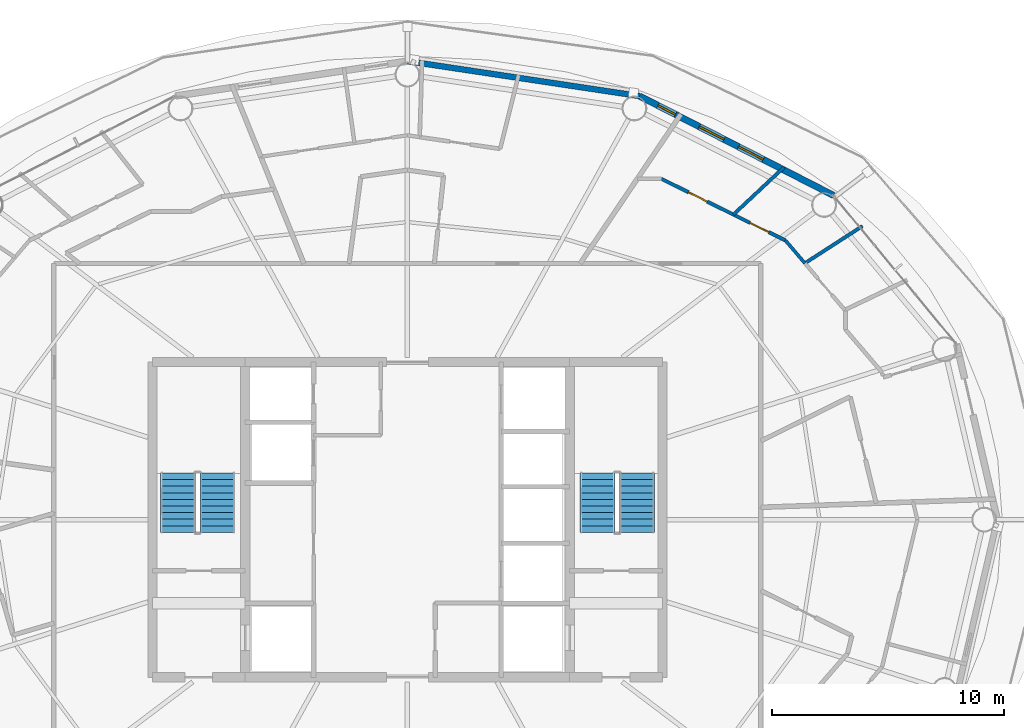
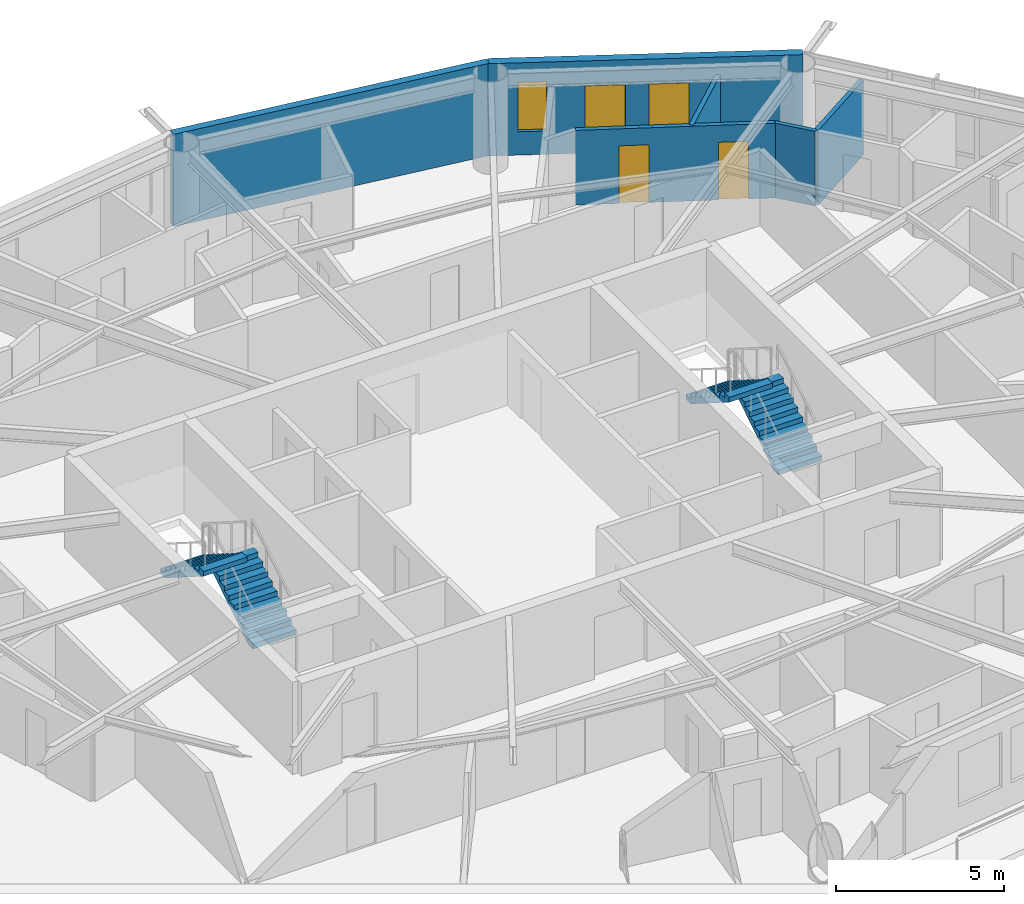
# One storey, part 20 of 23: 6 walls, 4 stair flights, 3 windows, 2 doors, 5 openings, 2 elements without a shape of their own.
"""IFC4 building model written with IfcOpenShell, lengths in metres."""

from ifc_helpers import new_model, si_unit, direction, frame, frame_2d, origin, place, context, subcontext, project, spatial, polyline, rectangle, outline, extrude, material, layer, layer_set, type_object, element, fill, aggregate, save


model = new_model("IFC4")

# Units and contexts
model_context = context("Model", 3, precision=1e-05, world=origin(), true_north=direction((0.0, 1.0)))
body_context = subcontext(model_context, "Body", "Model", "MODEL_VIEW")
ifc_project = project(units=[si_unit("LENGTHUNIT", "METRE"), si_unit("AREAUNIT", "SQUARE_METRE"), si_unit("VOLUMEUNIT", "CUBIC_METRE"), si_unit("PLANEANGLEUNIT", "RADIAN"), si_unit("MASSUNIT", "GRAM", prefix="KILO")], contexts=[model_context])

# Site, building, storey
site_placement = place(None, origin())
site = spatial("IfcSite", under=ifc_project, at=site_placement, CompositionType="ELEMENT")
building_placement = place(site_placement, origin())
building = spatial("IfcBuilding", under=site, at=building_placement, Name="Sarneth Arch Tower", CompositionType="ELEMENT")
storey_placement = place(building_placement, frame((0.0, 0.0, 235.199951171875)))
storey = spatial("IfcBuildingStorey", under=building, at=storey_placement, Name="L60", CompositionType="ELEMENT", Elevation=235.199951171875)

# Wall
ifc_material_1 = material(Name="Extruded terracotta rainscreen on Concrete C40/50 backing", Category="masonry")
ifc_layer_1 = layer(ifc_material_1, 0.25)
ifc_layer_set_1 = layer_set([ifc_layer_1], Name="Extruded terracotta rainscreen on Concrete C40/50 backing")
wall_type_1 = type_object("IfcWallType", Name="WALL-EXT-SPAND-250", PredefinedType="SOLIDWALL", material=ifc_layer_set_1)
wall_1_placement = place(storey_placement, frame((58.0126953125, 60.2744140625, 0.0), z_axis=(0.0, 0.0, 1.0), x_axis=(-0.988882522213, 0.148698881169, 0.0)))
element("IfcWall", 1, at=wall_1_placement, inside=storey, type_object=wall_type_1, Name="L60 Terracotta perimeter wall 04", PredefinedType="SOLIDWALL", context=body_context, shape_type="SweptSolid", body=[
    extrude(rectangle(XDim=10.125244140625, YDim=0.25, at=frame_2d((5.0625, 0.0))), origin(), (0.0, 0.0, 1.0), 3.360107421875),
])

# Wall, openings, windows
ifc_material_2 = material(Name="Extruded terracotta rainscreen on Concrete C40/50 backing", Category="masonry")
ifc_layer_2 = layer(ifc_material_2, 0.280029296875)
ifc_layer_set_2 = layer_set([ifc_layer_2], Name="Extruded terracotta rainscreen on Concrete C40/50 backing")
wall_type_2 = type_object("IfcWallType", Name="WALL-EXT-TERRA-280", PredefinedType="SOLIDWALL", material=ifc_layer_set_2)
wall_2_placement = place(storey_placement, frame((66.382568359375, 55.986572265625, 0.0), z_axis=(0.0, 0.0, 1.0), x_axis=(-0.890007394051, 0.455946091699, 0.0)))
wall_2 = element("IfcWall", 2, at=wall_2_placement, inside=storey, type_object=wall_type_2, Name="L60 Terracotta perimeter wall 03", PredefinedType="SOLIDWALL", context=body_context, shape_type="SweptSolid", body=[
    extrude(rectangle(XDim=9.404296875, YDim=0.280029296875, at=frame_2d((4.7021484375, 0.0))), origin(), (0.0, 0.0, 1.0), 3.360107421875),
])
opening_1_placement = place(wall_2_placement, frame((3.40576171875, 0.0, 0.85009765625)))
opening_1 = element("IfcOpeningElement", 3, at=opening_1_placement, cuts=wall_2, Name="Opening W-10", PredefinedType="OPENING", context=body_context, shape_type="SweptSolid", body=[
    extrude(rectangle(XDim=1.199951171875, YDim=1.60009765625, at=frame_2d((0.60009765625, 0.800048828125))), frame((0.0, 0.14990234375, 0.0), z_axis=(0.0, -1.0, 0.0), x_axis=(1.0, 0.0, 0.0)), (0.0, 0.0, 1.0), 0.300048828125),
])
opening_2_placement = place(wall_2_placement, frame((5.306884765625, 0.0, 0.85009765625)))
opening_2 = element("IfcOpeningElement", 4, at=opening_2_placement, cuts=wall_2, Name="Opening W-10", PredefinedType="OPENING", context=body_context, shape_type="SweptSolid", body=[
    extrude(rectangle(XDim=1.199951171875, YDim=1.60009765625, at=frame_2d((0.60009765625, 0.800048828125))), frame((0.0, 0.14990234375, 0.0), z_axis=(0.0, -1.0, 0.0), x_axis=(1.0, 0.0, 0.0)), (0.0, 0.0, 1.0), 0.300048828125),
])
opening_3_placement = place(wall_2_placement, frame((7.66259765625, 0.0, 0.85009765625)))
opening_3 = element("IfcOpeningElement", 5, at=opening_3_placement, cuts=wall_2, Name="Opening W-12", PredefinedType="OPENING", context=body_context, shape_type="SweptSolid", body=[
    extrude(rectangle(XDim=0.85009765625, YDim=1.800048828125, at=frame_2d((0.425048828125, 0.89990234375))), frame((0.0, 0.14990234375, 0.0), z_axis=(0.0, -1.0, 0.0), x_axis=(1.0, 0.0, 0.0)), (0.0, 0.0, 1.0), 0.300048828125),
])
ifc_material_3 = material(Name="Thermally broken Aluminium 6063-T6 and low-e laminated IGU", Category="aluminium")
window_type_1 = type_object("IfcWindowType", Name="WIN-TWR-1200x1600", PartitioningType="SINGLE_PANEL", PredefinedType="WINDOW", material=ifc_material_3)
window_1_placement = place(opening_1_placement, origin())
window_1 = element("IfcWindow", 6, at=window_1_placement, inside=storey, type_object=window_type_1, Name="L60 Exterior window 03A", OverallHeight=1.60009765625, OverallWidth=1.199951171875, PartitioningType="SINGLE_PANEL", PredefinedType="WINDOW", context=body_context, shape_type="SweptSolid", body=[
    extrude(rectangle(XDim=1.199951171875, YDim=1.60009765625, at=frame_2d((0.60009765625, 0.800048828125))), frame((0.0, 0.030029296875, 0.0), z_axis=(0.0, -1.0, 0.0), x_axis=(1.0, 0.0, 0.0)), (0.0, 0.0, 1.0), 0.06005859375),
])
fill(opening_1, window_1)
window_2_placement = place(opening_2_placement, origin())
window_2 = element("IfcWindow", 7, at=window_2_placement, inside=storey, type_object=window_type_1, Name="L60 Exterior window 03B", OverallHeight=1.60009765625, OverallWidth=1.199951171875, PartitioningType="SINGLE_PANEL", PredefinedType="WINDOW", context=body_context, shape_type="SweptSolid", body=[
    extrude(rectangle(XDim=1.199951171875, YDim=1.60009765625, at=frame_2d((0.60009765625, 0.800048828125))), frame((0.0, 0.030029296875, 0.0), z_axis=(0.0, -1.0, 0.0), x_axis=(1.0, 0.0, 0.0)), (0.0, 0.0, 1.0), 0.06005859375),
])
fill(opening_2, window_2)
ifc_material_4 = material(Name="Thermally broken Aluminium 6063-T6 and low-e laminated IGU", Category="aluminium")
window_type_2 = type_object("IfcWindowType", Name="WIN-TWR-850x1800", PartitioningType="SINGLE_PANEL", PredefinedType="WINDOW", material=ifc_material_4)
window_3_placement = place(opening_3_placement, origin())
window_3 = element("IfcWindow", 8, at=window_3_placement, inside=storey, type_object=window_type_2, Name="L60 Dwelling bedroom window 01", OverallHeight=1.800048828125, OverallWidth=0.85009765625, PartitioningType="SINGLE_PANEL", PredefinedType="WINDOW", context=body_context, shape_type="SweptSolid", body=[
    extrude(rectangle(XDim=0.85009765625, YDim=1.800048828125, at=frame_2d((0.425048828125, 0.89990234375))), frame((0.0, 0.030029296875, 0.0), z_axis=(0.0, -1.0, 0.0), x_axis=(1.0, 0.0, 0.0)), (0.0, 0.0, 1.0), 0.06005859375),
])
fill(opening_3, window_3)

# Wall
ifc_material_5 = material(Name="Apartment internal stud partition", Category="gypsum")
ifc_layer_3 = layer(ifc_material_5, 0.139892578125)
ifc_layer_set_3 = layer_set([ifc_layer_3], Name="Apartment internal stud partition")
wall_type_3 = type_object("IfcWallType", Name="WALL-PART-140", PredefinedType="PARTITIONING", material=ifc_layer_set_3)
wall_3_placement = place(storey_placement, frame((65.147216796875, 53.061767578125, 0.0), z_axis=(0.0, 0.0, 1.0), x_axis=(-0.648994996694, 0.760792674956, 0.0)))
element("IfcWall", 9, at=wall_3_placement, inside=storey, type_object=wall_type_3, Name="L60 Interior partition W-L60-TP-028", PredefinedType="PARTITIONING", context=body_context, shape_type="SweptSolid", body=[
    extrude(rectangle(XDim=1.288330078125, YDim=0.139892578125, at=frame_2d((0.64404296875, 0.0))), origin(), (0.0, 0.0, 1.0), 2.719970703125),
])

# Wall, openings, doors
ifc_material_6 = material(Name="Acoustic gypsum stud partition", Category="gypsum")
ifc_layer_4 = layer(ifc_material_6, 0.14990234375)
ifc_layer_set_4 = layer_set([ifc_layer_4], Name="Acoustic gypsum stud partition")
wall_type_4 = type_object("IfcWallType", Name="WALL-PART-150", PredefinedType="PARTITIONING", material=ifc_layer_set_4)
wall_4_placement = place(storey_placement, frame((58.9638671875, 56.699951171875, 0.0), z_axis=(0.0, 0.0, 1.0), x_axis=(0.895471406875, -0.445119039661, 0.0)))
wall_4 = element("IfcWall", 10, at=wall_4_placement, inside=storey, type_object=wall_type_4, Name="L60 Interior partition W-L60-TP-031", PredefinedType="PARTITIONING", context=body_context, shape_type="SweptSolid", body=[
    extrude(rectangle(XDim=5.971435546875, YDim=0.14990234375, at=frame_2d((2.98583984375, 0.0))), origin(), (0.0, 0.0, 1.0), 2.719970703125),
])
opening_4_placement = place(wall_4_placement, frame((1.297119140625, 0.0, 0.0)))
opening_4 = element("IfcOpeningElement", 11, at=opening_4_placement, cuts=wall_4, Name="Opening ID-01", PredefinedType="OPENING", context=body_context, shape_type="SweptSolid", body=[
    extrude(rectangle(XDim=0.89990234375, YDim=2.10009765625, at=frame_2d((0.449951171875, 1.050048828125))), frame((0.0, 0.0849609375, 0.0), z_axis=(0.0, -1.0, 0.0), x_axis=(1.0, 0.0, 0.0)), (0.0, 0.0, 1.0), 0.169921875),
])
opening_5_placement = place(wall_4_placement, frame((4.265869140625, 0.0, 0.0)))
opening_5 = element("IfcOpeningElement", 12, at=opening_5_placement, cuts=wall_4, Name="Opening ID-01", PredefinedType="OPENING", context=body_context, shape_type="SweptSolid", body=[
    extrude(rectangle(XDim=0.89990234375, YDim=2.10009765625, at=frame_2d((0.449951171875, 1.050048828125))), frame((0.0, 0.0849609375, 0.0), z_axis=(0.0, -1.0, 0.0), x_axis=(1.0, 0.0, 0.0)), (0.0, 0.0, 1.0), 0.169921875),
])
ifc_material_7 = material(Name="Engineered hardwood flush door", Category="wood")
door_type = type_object("IfcDoorType", Name="DR-INT-900", OperationType="SINGLE_SWING_LEFT", PredefinedType="DOOR", material=ifc_material_7)
door_1_placement = place(opening_4_placement, origin())
door_1 = element("IfcDoor", 13, at=door_1_placement, inside=storey, type_object=door_type, Name="L60 Interior door DR-L60-U1-BED2", OperationType="SINGLE_SWING_RIGHT", OverallHeight=2.10009765625, OverallWidth=0.89990234375, PredefinedType="DOOR", context=body_context, shape_type="SweptSolid", body=[
    extrude(rectangle(XDim=0.89990234375, YDim=2.10009765625, at=frame_2d((0.449951171875, 1.050048828125))), frame((0.0, 0.02490234375, 0.0), z_axis=(0.0, -1.0, 0.0), x_axis=(1.0, 0.0, 0.0)), (0.0, 0.0, 1.0), 0.050048828125),
])
fill(opening_4, door_1)
door_2_placement = place(opening_5_placement, origin())
door_2 = element("IfcDoor", 14, at=door_2_placement, inside=storey, type_object=door_type, Name="L60 Interior door DR-L60-U1-BED1", OperationType="SINGLE_SWING_RIGHT", OverallHeight=2.10009765625, OverallWidth=0.89990234375, PredefinedType="DOOR", context=body_context, shape_type="SweptSolid", body=[
    extrude(rectangle(XDim=0.89990234375, YDim=2.10009765625, at=frame_2d((0.449951171875, 1.050048828125))), frame((0.0, 0.02490234375, 0.0), z_axis=(0.0, -1.0, 0.0), x_axis=(1.0, 0.0, 0.0)), (0.0, 0.0, 1.0), 0.050048828125),
])
fill(opening_5, door_2)

# Walls
wall_5_placement = place(storey_placement, frame((62.062255859375, 55.159912109375, 0.0), z_axis=(0.0, 0.0, 1.0), x_axis=(0.730154645163, 0.683281928743, 0.0)))
element("IfcWall", 15, at=wall_5_placement, inside=storey, type_object=wall_type_4, Name="L60 Interior partition W-L60-TP-038", PredefinedType="PARTITIONING", context=body_context, shape_type="SweptSolid", body=[
    extrude(rectangle(XDim=2.994873046875, YDim=0.14990234375, at=frame_2d((1.49755859375, 0.0))), origin(), (0.0, 0.0, 1.0), 2.719970703125),
])
wall_6_placement = place(storey_placement, frame((65.147216796875, 53.061767578125, 0.0), z_axis=(0.0, 0.0, 1.0), x_axis=(0.840340332522, 0.542059153172, 0.0)))
element("IfcWall", 16, at=wall_6_placement, inside=storey, type_object=wall_type_4, Name="L60 Interior partition W-L60-TP-036", PredefinedType="PARTITIONING", context=body_context, shape_type="SweptSolid", body=[
    extrude(rectangle(XDim=2.956298828125, YDim=0.14990234375, at=frame_2d((1.47802734375, 0.0))), origin(), (0.0, 0.0, 1.0), 2.719970703125),
])

# Stair, stair flights
ifc_material_8 = material(Name="Concrete C50/60", Category="concrete")
stair_type = type_object("IfcStairType", Name="STAIR-CORE-RC", PredefinedType="HALF_TURN_STAIR", material=ifc_material_8)
stair_1_placement = place(storey_placement, origin())
stair_1 = element("IfcStair", 17, at=stair_1_placement, inside=storey, type_object=stair_type, Name="L60 Core Exit Stair 1", PredefinedType="HALF_TURN_STAIR")
ifc_material_9 = material(Name="Concrete C50/60", Category="concrete")
stair_flight_type = type_object("IfcStairFlightType", Name="FLIGHT-RC-1500", PredefinedType="STRAIGHT", material=ifc_material_9)
stair_flight_1_placement = place(storey_placement, frame((39.800048828125, 41.449951171875, 0.0), z_axis=(0.0, 0.0, 1.0), x_axis=(0.0, 1.0, 0.0)))
stair_flight_1 = element("IfcStairFlight", 18, at=stair_flight_1_placement, type_object=stair_flight_type, Name="ST-1 flight 1", NumberOfRisers=10, NumberOfTreads=9, PredefinedType="STRAIGHT", RiserHeight=0.18, TreadLength=0.285, context=body_context, shape_type="SweptSolid", body=[
    extrude(outline(polyline([(0.0, 0.0), (0.0, 0.179931640625), (0.284912109375, 0.179931640625), (0.284912109375, 0.360107421875), (0.570068359375, 0.360107421875), (0.570068359375, 0.5400390625), (0.85498046875, 0.5400390625), (0.85498046875, 0.719970703125), (1.139892578125, 0.719970703125), (1.139892578125, 0.89990234375), (1.425048828125, 0.89990234375), (1.425048828125, 1.080078125), (1.7099609375, 1.080078125), (1.7099609375, 1.260009765625), (1.9951171875, 1.260009765625), (1.9951171875, 1.43994140625), (2.280029296875, 1.43994140625), (2.280029296875, 1.6201171875), (2.56494140625, 1.6201171875), (2.56494140625, 1.800048828125), (2.56494140625, 1.442626953125), (0.28076171875, 0.0), (0.0, 0.0)])), frame((0.0, 0.75, 0.0), z_axis=(0.0, -1.0, 0.0), x_axis=(1.0, 0.0, 0.0)), (0.0, 0.0, 1.0), 1.5),
])
stair_flight_2_placement = place(storey_placement, frame((38.10009765625, 44.014892578125, 1.800048828125), z_axis=(0.0, 0.0, 1.0), x_axis=(0.0, -1.0, 0.0)))
stair_flight_2 = element("IfcStairFlight", 19, at=stair_flight_2_placement, type_object=stair_flight_type, Name="ST-1 flight 2", NumberOfRisers=10, NumberOfTreads=9, PredefinedType="STRAIGHT", RiserHeight=0.18, TreadLength=0.285, context=body_context, shape_type="SweptSolid", body=[
    extrude(outline(polyline([(0.0, 0.0), (0.0, 0.179931640625), (0.284912109375, 0.179931640625), (0.284912109375, 0.360107421875), (0.570068359375, 0.360107421875), (0.570068359375, 0.5400390625), (0.85498046875, 0.5400390625), (0.85498046875, 0.719970703125), (1.139892578125, 0.719970703125), (1.139892578125, 0.89990234375), (1.425048828125, 0.89990234375), (1.425048828125, 1.080078125), (1.7099609375, 1.080078125), (1.7099609375, 1.260009765625), (1.9951171875, 1.260009765625), (1.9951171875, 1.43994140625), (2.280029296875, 1.43994140625), (2.280029296875, 1.6201171875), (2.56494140625, 1.6201171875), (2.56494140625, 1.800048828125), (2.56494140625, 1.442626953125), (0.28076171875, 0.0), (0.0, 0.0)])), frame((0.0, 0.75, 0.0), z_axis=(0.0, -1.0, 0.0), x_axis=(1.0, 0.0, 0.0)), (0.0, 0.0, 1.0), 1.5),
])
aggregate(stair_1, [stair_flight_1, stair_flight_2])

stair_2_placement = place(storey_placement, origin())
stair_2 = element("IfcStair", 20, at=stair_2_placement, inside=storey, type_object=stair_type, Name="L60 Core Exit Stair 2", PredefinedType="HALF_TURN_STAIR")
stair_flight_3_placement = place(storey_placement, frame((57.89990234375, 41.449951171875, 0.0), z_axis=(0.0, 0.0, 1.0), x_axis=(0.0, 1.0, 0.0)))
stair_flight_3 = element("IfcStairFlight", 21, at=stair_flight_3_placement, type_object=stair_flight_type, Name="ST-2 flight 1", NumberOfRisers=10, NumberOfTreads=9, PredefinedType="STRAIGHT", RiserHeight=0.18, TreadLength=0.285, context=body_context, shape_type="SweptSolid", body=[
    extrude(outline(polyline([(0.0, 0.0), (0.0, 0.179931640625), (0.284912109375, 0.179931640625), (0.284912109375, 0.360107421875), (0.570068359375, 0.360107421875), (0.570068359375, 0.5400390625), (0.85498046875, 0.5400390625), (0.85498046875, 0.719970703125), (1.139892578125, 0.719970703125), (1.139892578125, 0.89990234375), (1.425048828125, 0.89990234375), (1.425048828125, 1.080078125), (1.7099609375, 1.080078125), (1.7099609375, 1.260009765625), (1.9951171875, 1.260009765625), (1.9951171875, 1.43994140625), (2.280029296875, 1.43994140625), (2.280029296875, 1.6201171875), (2.56494140625, 1.6201171875), (2.56494140625, 1.800048828125), (2.56494140625, 1.442626953125), (0.28076171875, 0.0), (0.0, 0.0)])), frame((0.0, 0.75, 0.0), z_axis=(0.0, -1.0, 0.0), x_axis=(1.0, 0.0, 0.0)), (0.0, 0.0, 1.0), 1.5),
])
stair_flight_4_placement = place(storey_placement, frame((56.199951171875, 44.014892578125, 1.800048828125), z_axis=(0.0, 0.0, 1.0), x_axis=(0.0, -1.0, 0.0)))
stair_flight_4 = element("IfcStairFlight", 22, at=stair_flight_4_placement, type_object=stair_flight_type, Name="ST-2 flight 2", NumberOfRisers=10, NumberOfTreads=9, PredefinedType="STRAIGHT", RiserHeight=0.18, TreadLength=0.285, context=body_context, shape_type="SweptSolid", body=[
    extrude(outline(polyline([(0.0, 0.0), (0.0, 0.179931640625), (0.284912109375, 0.179931640625), (0.284912109375, 0.360107421875), (0.570068359375, 0.360107421875), (0.570068359375, 0.5400390625), (0.85498046875, 0.5400390625), (0.85498046875, 0.719970703125), (1.139892578125, 0.719970703125), (1.139892578125, 0.89990234375), (1.425048828125, 0.89990234375), (1.425048828125, 1.080078125), (1.7099609375, 1.080078125), (1.7099609375, 1.260009765625), (1.9951171875, 1.260009765625), (1.9951171875, 1.43994140625), (2.280029296875, 1.43994140625), (2.280029296875, 1.6201171875), (2.56494140625, 1.6201171875), (2.56494140625, 1.800048828125), (2.56494140625, 1.442626953125), (0.28076171875, 0.0), (0.0, 0.0)])), frame((0.0, 0.75, 0.0), z_axis=(0.0, -1.0, 0.0), x_axis=(1.0, 0.0, 0.0)), (0.0, 0.0, 1.0), 1.5),
])
aggregate(stair_2, [stair_flight_3, stair_flight_4])

save(model, "model.ifc")
